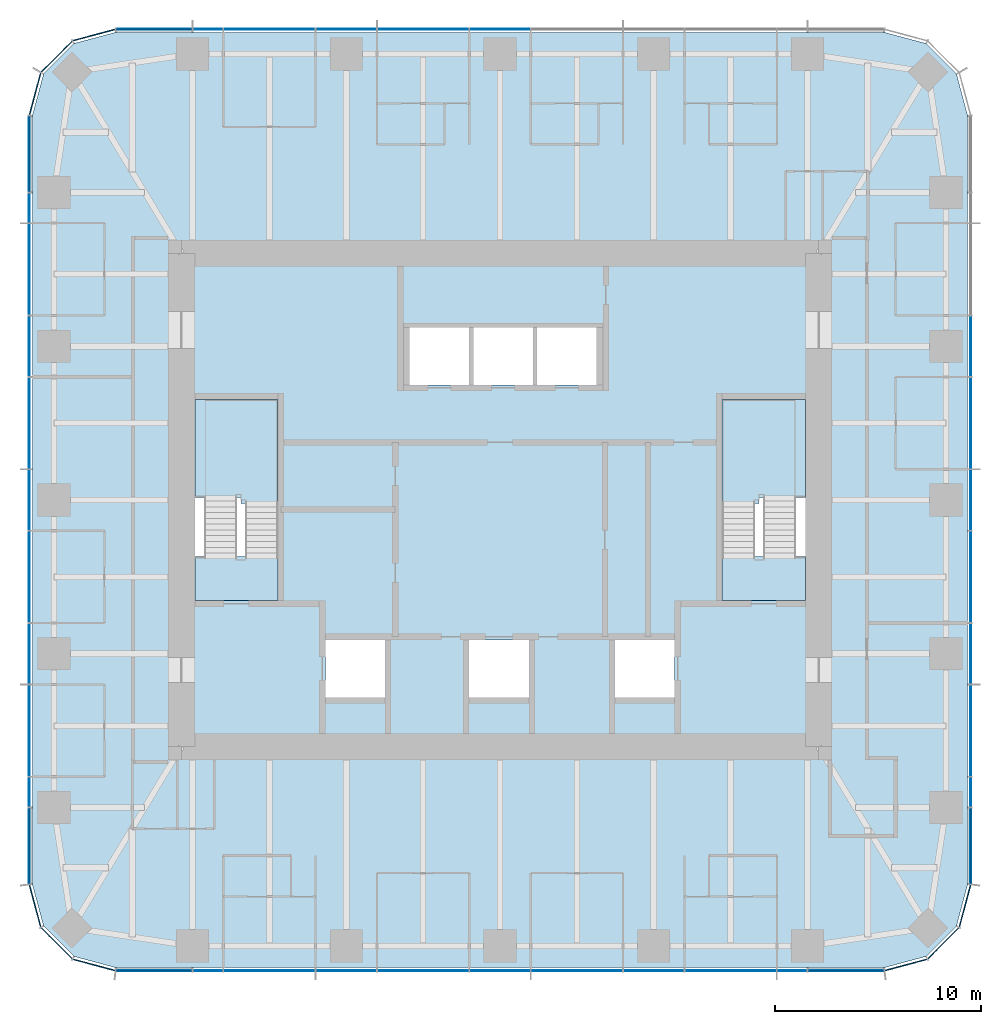
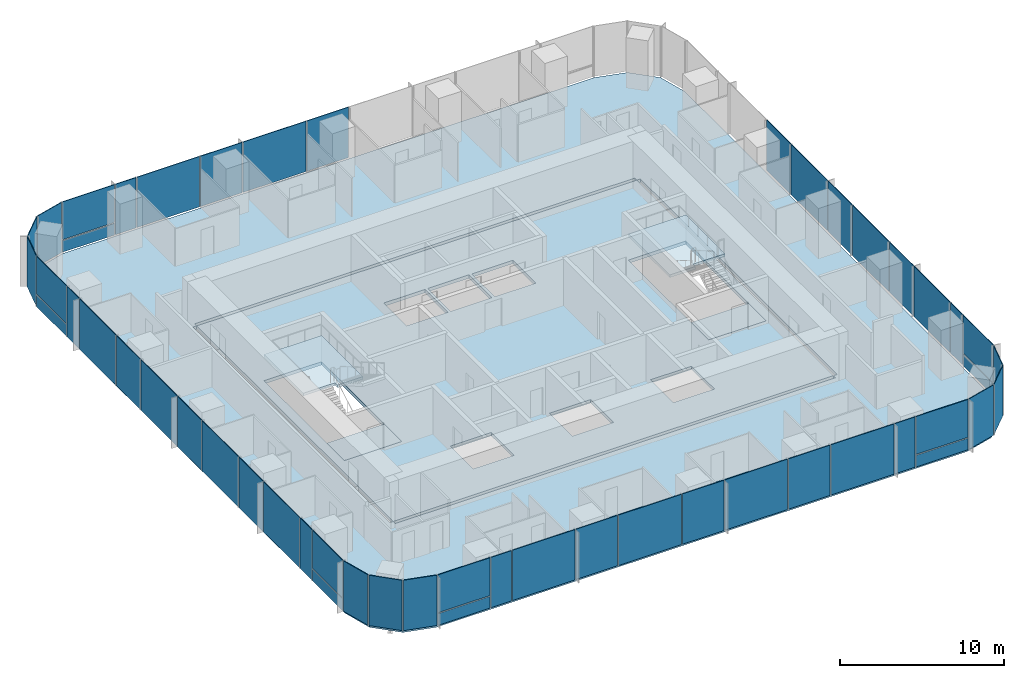
# One storey, part 7 of 12: 51 plates, 6 slabs, 9 elements without a shape of their own.
"""IFC4 building model written with IfcOpenShell, lengths in metres."""

from ifc_helpers import new_model, si_unit, direction, frame, origin, origin_2d, place, context, subcontext, project, spatial, polyline, rectangle, outline, extrude, material, layer, layer_set, type_object, element, aggregate, save


model = new_model("IFC4")

# Units and contexts
model_context = context("Model", 3, precision=1e-05, world=origin(), true_north=direction((0.0, 1.0)))
body_context = subcontext(model_context, "Body", "Model", "MODEL_VIEW")
ifc_project = project(units=[si_unit("LENGTHUNIT", "METRE"), si_unit("AREAUNIT", "SQUARE_METRE"), si_unit("VOLUMEUNIT", "CUBIC_METRE"), si_unit("PLANEANGLEUNIT", "RADIAN"), si_unit("MASSUNIT", "GRAM", prefix="KILO")], contexts=[model_context])

# Site, building, storey
site_placement = place(None, origin())
site = spatial("IfcSite", under=ifc_project, at=site_placement, CompositionType="ELEMENT")
building_placement = place(site_placement, origin())
building = spatial("IfcBuilding", under=site, at=building_placement, Name="Khuree Lantern Residences", CompositionType="ELEMENT")
storey_placement = place(building_placement, frame((0.0, 0.0, 345.75)))
storey = spatial("IfcBuildingStorey", under=building, at=storey_placement, Name="L87", CompositionType="ELEMENT", Elevation=345.75)

# Slab
ifc_material_1 = material(Name="Concrete C35/45", Category="concrete")
ifc_layer_1 = layer(ifc_material_1, 0.25)
ifc_layer_set_1 = layer_set([ifc_layer_1], Name="CFL250 CORE FLOOR SLAB 250")
slab_type_1 = type_object("IfcSlabType", Name="CFL250 CORE FLOOR SLAB 250", PredefinedType="FLOOR", material=ifc_layer_set_1)
slab_1_placement = place(storey_placement, frame((0.0, 0.0, -0.25)))
element("IfcSlab", 1, at=slab_1_placement, inside=storey, type_object=slab_type_1, Name="Core floor L87", PredefinedType="FLOOR", context=body_context, shape_type="SweptSolid", body=[
    extrude(outline(polyline([(-15.5, -12.0), (-15.5, 12.0), (15.5, 12.0), (15.5, -12.0), (-15.5, -12.0)]), holes=[polyline([(10.800048828125, 4.89990234375), (10.800048828125, -4.89990234375), (14.85009765625, -4.89990234375), (14.85009765625, 4.89990234375), (10.800048828125, 4.89990234375)]), polyline([(5.60009765625, -6.800048828125), (5.60009765625, -9.60009765625), (8.5, -9.60009765625), (8.5, -6.800048828125), (5.60009765625, -6.800048828125)]), polyline([(1.800048828125, 8.39990234375), (1.800048828125, 5.60009765625), (4.699951171875, 5.60009765625), (4.699951171875, 8.39990234375), (1.800048828125, 8.39990234375)]), polyline([(-1.300048828125, 8.39990234375), (-1.300048828125, 5.60009765625), (1.60009765625, 5.60009765625), (1.60009765625, 8.39990234375), (-1.300048828125, 8.39990234375)]), polyline([(-1.5, -6.800048828125), (-1.5, -9.60009765625), (1.39990234375, -9.60009765625), (1.39990234375, -6.800048828125), (-1.5, -6.800048828125)]), polyline([(-4.39990234375, 8.39990234375), (-4.39990234375, 5.60009765625), (-1.5, 5.60009765625), (-1.5, 8.39990234375), (-4.39990234375, 8.39990234375)]), polyline([(-8.5, -6.800048828125), (-8.5, -9.60009765625), (-5.60009765625, -9.60009765625), (-5.60009765625, -6.800048828125), (-8.5, -6.800048828125)]), polyline([(-14.85009765625, 4.89990234375), (-14.85009765625, -4.89990234375), (-10.800048828125, -4.89990234375), (-10.800048828125, 4.89990234375), (-14.85009765625, 4.89990234375)])]), origin(), (0.0, 0.0, 1.0), 0.25),
])

# Curtain wall, plates
ifc_material_2 = material(Name="Bronze anodised aluminium", Category="aluminium")
curtain_wall_type_1 = type_object("IfcCurtainWallType", Name="CW-T2 TOWER CORNER CURTAIN WALL", PredefinedType="USERDEFINED", material=ifc_material_2)
curtain_wall_1_placement = place(storey_placement, origin())
curtain_wall_1 = element("IfcCurtainWall", 2, at=curtain_wall_1_placement, inside=storey, type_object=curtain_wall_type_1, Name="L87 SOUTH-EAST CORNER CURTAIN WALL", ObjectType="Faceted corner curtain wall", PredefinedType="USERDEFINED")
ifc_material_3 = material(Name="Bronze tinted triple glazing", Category="glass")
ifc_layer_2 = layer(ifc_material_3, 0.048095703125)
ifc_layer_set_2 = layer_set([ifc_layer_2], Name="FACET PANEL P4")
plate_type_1 = type_object("IfcPlateType", Name="FACET PANEL P4", PredefinedType="CURTAIN_PANEL", material=ifc_layer_set_2)
plate_1_placement = place(storey_placement, frame((19.748046875, -22.619140625, 0.0), z_axis=(0.0, 0.0, 1.0), x_axis=(0.965925861257, 0.2588189146, 0.0)))
plate_1 = element("IfcPlate", 3, at=plate_1_placement, type_object=plate_type_1, Name="L87 SOUTH-EAST CORNER PANEL 1.1", PredefinedType="CURTAIN_PANEL", context=body_context, shape_type="SweptSolid", body=[
    extrude(rectangle(XDim=2.09814453125, YDim=0.048095703125, at=origin_2d()), origin(), (0.0, 0.0, 1.0), 3.75),
])
plate_2_placement = place(storey_placement, frame((21.568603515625, -21.568603515625, 0.0), z_axis=(0.0, 0.0, 1.0), x_axis=(0.707106781187, 0.707106781187, 0.0)))
plate_2 = element("IfcPlate", 4, at=plate_2_placement, type_object=plate_type_1, Name="L87 SOUTH-EAST CORNER PANEL 2.1", PredefinedType="CURTAIN_PANEL", context=body_context, shape_type="SweptSolid", body=[
    extrude(rectangle(XDim=2.093994140625, YDim=0.048095703125, at=origin_2d()), origin(), (0.0, 0.0, 1.0), 3.75),
])
plate_3_placement = place(storey_placement, frame((22.619140625, -19.748046875, 0.0), z_axis=(0.0, 0.0, 1.0), x_axis=(0.2588189146, 0.965925861257, 0.0)))
plate_3 = element("IfcPlate", 5, at=plate_3_placement, type_object=plate_type_1, Name="L87 SOUTH-EAST CORNER PANEL 3.1", PredefinedType="CURTAIN_PANEL", context=body_context, shape_type="SweptSolid", body=[
    extrude(rectangle(XDim=2.09814453125, YDim=0.048095703125, at=origin_2d()), origin(), (0.0, 0.0, 1.0), 3.75),
])
aggregate(curtain_wall_1, [plate_1, plate_2, plate_3])

curtain_wall_2_placement = place(storey_placement, origin())
curtain_wall_2 = element("IfcCurtainWall", 6, at=curtain_wall_2_placement, inside=storey, type_object=curtain_wall_type_1, Name="L87 NORTH-WEST CORNER CURTAIN WALL", ObjectType="Faceted corner curtain wall", PredefinedType="USERDEFINED")
plate_4_placement = place(storey_placement, frame((-19.748046875, 22.619140625, 0.0), z_axis=(0.0, 0.0, 1.0), x_axis=(-0.965925861257, -0.2588189146, 0.0)))
plate_4 = element("IfcPlate", 7, at=plate_4_placement, type_object=plate_type_1, Name="L87 NORTH-WEST CORNER PANEL 29.1", PredefinedType="CURTAIN_PANEL", context=body_context, shape_type="SweptSolid", body=[
    extrude(rectangle(XDim=2.09814453125, YDim=0.048095703125, at=origin_2d()), origin(), (0.0, 0.0, 1.0), 3.75),
])
plate_5_placement = place(storey_placement, frame((-21.568603515625, 21.568603515625, 0.0), z_axis=(0.0, 0.0, 1.0), x_axis=(-0.707106781187, -0.707106781187, 0.0)))
plate_5 = element("IfcPlate", 8, at=plate_5_placement, type_object=plate_type_1, Name="L87 NORTH-WEST CORNER PANEL 30.1", PredefinedType="CURTAIN_PANEL", context=body_context, shape_type="SweptSolid", body=[
    extrude(rectangle(XDim=2.093994140625, YDim=0.048095703125, at=origin_2d()), origin(), (0.0, 0.0, 1.0), 3.75),
])
plate_6_placement = place(storey_placement, frame((-22.619140625, 19.748046875, 0.0), z_axis=(0.0, 0.0, 1.0), x_axis=(-0.2588189146, -0.965925861257, 0.0)))
plate_6 = element("IfcPlate", 9, at=plate_6_placement, type_object=plate_type_1, Name="L87 NORTH-WEST CORNER PANEL 31.1", PredefinedType="CURTAIN_PANEL", context=body_context, shape_type="SweptSolid", body=[
    extrude(rectangle(XDim=2.09814453125, YDim=0.048095703125, at=origin_2d()), origin(), (0.0, 0.0, 1.0), 3.75),
])
aggregate(curtain_wall_2, [plate_4, plate_5, plate_6])

curtain_wall_3_placement = place(storey_placement, origin())
curtain_wall_3 = element("IfcCurtainWall", 10, at=curtain_wall_3_placement, inside=storey, type_object=curtain_wall_type_1, Name="L87 SOUTH-WEST CORNER CURTAIN WALL", ObjectType="Faceted corner curtain wall", PredefinedType="USERDEFINED")
plate_7_placement = place(storey_placement, frame((-22.619140625, -19.748046875, 0.0), z_axis=(0.0, 0.0, 1.0), x_axis=(0.2588189146, -0.965925861257, 0.0)))
plate_7 = element("IfcPlate", 11, at=plate_7_placement, type_object=plate_type_1, Name="L87 SOUTH-WEST CORNER PANEL 43.1", PredefinedType="CURTAIN_PANEL", context=body_context, shape_type="SweptSolid", body=[
    extrude(rectangle(XDim=2.09814453125, YDim=0.048095703125, at=origin_2d()), origin(), (0.0, 0.0, 1.0), 3.75),
])
plate_8_placement = place(storey_placement, frame((-21.568603515625, -21.568603515625, 0.0), z_axis=(0.0, 0.0, 1.0), x_axis=(0.707106781187, -0.707106781187, 0.0)))
plate_8 = element("IfcPlate", 12, at=plate_8_placement, type_object=plate_type_1, Name="L87 SOUTH-WEST CORNER PANEL 44.1", PredefinedType="CURTAIN_PANEL", context=body_context, shape_type="SweptSolid", body=[
    extrude(rectangle(XDim=2.093994140625, YDim=0.048095703125, at=origin_2d()), origin(), (0.0, 0.0, 1.0), 3.75),
])
plate_9_placement = place(storey_placement, frame((-19.748046875, -22.619140625, 0.0), z_axis=(0.0, 0.0, 1.0), x_axis=(0.965925861257, -0.2588189146, 0.0)))
plate_9 = element("IfcPlate", 13, at=plate_9_placement, type_object=plate_type_1, Name="L87 SOUTH-WEST CORNER PANEL 45.1", PredefinedType="CURTAIN_PANEL", context=body_context, shape_type="SweptSolid", body=[
    extrude(rectangle(XDim=2.09814453125, YDim=0.048095703125, at=origin_2d()), origin(), (0.0, 0.0, 1.0), 3.75),
])
aggregate(curtain_wall_3, [plate_7, plate_8, plate_9])

curtain_wall_type_2 = type_object("IfcCurtainWallType", Name="CW-T1 TOWER FACE CURTAIN WALL", PredefinedType="USERDEFINED", material=ifc_material_2)
curtain_wall_4_placement = place(storey_placement, origin())
curtain_wall_4 = element("IfcCurtainWall", 14, at=curtain_wall_4_placement, inside=storey, type_object=curtain_wall_type_2, Name="L87 EAST FACE CURTAIN WALL", ObjectType="Stick-built curtain wall", PredefinedType="USERDEFINED")
ifc_material_4 = material(Name="Bronze tinted triple glazing with a ceramic-fritted spandrel band", Category="glass")
ifc_layer_3 = layer(ifc_material_4, 0.048095703125)
ifc_layer_set_3 = layer_set([ifc_layer_3], Name="FIXED LIGHT PANEL P11")
plate_type_2 = type_object("IfcPlateType", Name="FIXED LIGHT PANEL P11", PredefinedType="CURTAIN_PANEL", material=ifc_layer_set_3)
plate_10_placement = place(storey_placement, frame((22.89990234375, -11.219970703125, 0.0), z_axis=(0.0, 0.0, 1.0), x_axis=(0.0, 1.0, 0.0)))
plate_10 = element("IfcPlate", 15, at=plate_10_placement, type_object=plate_type_2, Name="L87 EAST FACE PANEL 6.1", PredefinedType="CURTAIN_PANEL", context=body_context, shape_type="SweptSolid", body=[
    extrude(rectangle(XDim=4.423095703125, YDim=0.048095703125, at=origin_2d()), origin(), (0.0, 0.0, 1.0), 3.75),
])
plate_11_placement = place(storey_placement, frame((22.89990234375, -3.739990234375, 0.0), z_axis=(0.0, 0.0, 1.0), x_axis=(0.0, 1.0, 0.0)))
plate_11 = element("IfcPlate", 16, at=plate_11_placement, type_object=plate_type_2, Name="L87 EAST FACE PANEL 8.1", PredefinedType="CURTAIN_PANEL", context=body_context, shape_type="SweptSolid", body=[
    extrude(rectangle(XDim=4.423095703125, YDim=0.048095703125, at=origin_2d()), origin(), (0.0, 0.0, 1.0), 3.75),
])
plate_12_placement = place(storey_placement, frame((22.89990234375, 3.739990234375, 0.0), z_axis=(0.0, 0.0, 1.0), x_axis=(0.0, 1.0, 0.0)))
plate_12 = element("IfcPlate", 17, at=plate_12_placement, type_object=plate_type_2, Name="L87 EAST FACE PANEL 10.1", PredefinedType="CURTAIN_PANEL", context=body_context, shape_type="SweptSolid", body=[
    extrude(rectangle(XDim=4.423095703125, YDim=0.048095703125, at=origin_2d()), origin(), (0.0, 0.0, 1.0), 3.75),
])

curtain_wall_5_placement = place(storey_placement, origin())
curtain_wall_5 = element("IfcCurtainWall", 18, at=curtain_wall_5_placement, inside=storey, type_object=curtain_wall_type_2, Name="L87 NORTH FACE CURTAIN WALL", ObjectType="Stick-built curtain wall", PredefinedType="USERDEFINED")
plate_13_placement = place(storey_placement, frame((-3.739990234375, 22.89990234375, 0.0), z_axis=(0.0, 0.0, 1.0), x_axis=(-1.0, 0.0, 0.0)))
plate_13 = element("IfcPlate", 19, at=plate_13_placement, type_object=plate_type_2, Name="L87 NORTH FACE PANEL 24.1", PredefinedType="CURTAIN_PANEL", context=body_context, shape_type="SweptSolid", body=[
    extrude(rectangle(XDim=4.423095703125, YDim=0.048095703125, at=origin_2d()), origin(), (0.0, 0.0, 1.0), 3.75),
])
plate_14_placement = place(storey_placement, frame((-11.219970703125, 22.89990234375, 0.0), z_axis=(0.0, 0.0, 1.0), x_axis=(-1.0, 0.0, 0.0)))
plate_14 = element("IfcPlate", 20, at=plate_14_placement, type_object=plate_type_2, Name="L87 NORTH FACE PANEL 26.1", PredefinedType="CURTAIN_PANEL", context=body_context, shape_type="SweptSolid", body=[
    extrude(rectangle(XDim=4.423095703125, YDim=0.048095703125, at=origin_2d()), origin(), (0.0, 0.0, 1.0), 3.75),
])

curtain_wall_6_placement = place(storey_placement, origin())
curtain_wall_6 = element("IfcCurtainWall", 21, at=curtain_wall_6_placement, inside=storey, type_object=curtain_wall_type_2, Name="L87 WEST FACE CURTAIN WALL", ObjectType="Stick-built curtain wall", PredefinedType="USERDEFINED")
plate_15_placement = place(storey_placement, frame((-22.89990234375, 11.219970703125, 0.0), z_axis=(0.0, 0.0, 1.0), x_axis=(0.0, -1.0, 0.0)))
plate_15 = element("IfcPlate", 22, at=plate_15_placement, type_object=plate_type_2, Name="L87 WEST FACE PANEL 34.1", PredefinedType="CURTAIN_PANEL", context=body_context, shape_type="SweptSolid", body=[
    extrude(rectangle(XDim=4.423095703125, YDim=0.048095703125, at=origin_2d()), origin(), (0.0, 0.0, 1.0), 3.75),
])
plate_16_placement = place(storey_placement, frame((-22.89990234375, 3.739990234375, 0.0), z_axis=(0.0, 0.0, 1.0), x_axis=(0.0, -1.0, 0.0)))
plate_16 = element("IfcPlate", 23, at=plate_16_placement, type_object=plate_type_2, Name="L87 WEST FACE PANEL 36.1", PredefinedType="CURTAIN_PANEL", context=body_context, shape_type="SweptSolid", body=[
    extrude(rectangle(XDim=4.423095703125, YDim=0.048095703125, at=origin_2d()), origin(), (0.0, 0.0, 1.0), 3.75),
])
plate_17_placement = place(storey_placement, frame((-22.89990234375, -3.739990234375, 0.0), z_axis=(0.0, 0.0, 1.0), x_axis=(0.0, -1.0, 0.0)))
plate_17 = element("IfcPlate", 24, at=plate_17_placement, type_object=plate_type_2, Name="L87 WEST FACE PANEL 38.1", PredefinedType="CURTAIN_PANEL", context=body_context, shape_type="SweptSolid", body=[
    extrude(rectangle(XDim=4.423095703125, YDim=0.048095703125, at=origin_2d()), origin(), (0.0, 0.0, 1.0), 3.75),
])
plate_18_placement = place(storey_placement, frame((-22.89990234375, -11.219970703125, 0.0), z_axis=(0.0, 0.0, 1.0), x_axis=(0.0, -1.0, 0.0)))
plate_18 = element("IfcPlate", 25, at=plate_18_placement, type_object=plate_type_2, Name="L87 WEST FACE PANEL 40.1", PredefinedType="CURTAIN_PANEL", context=body_context, shape_type="SweptSolid", body=[
    extrude(rectangle(XDim=4.423095703125, YDim=0.048095703125, at=origin_2d()), origin(), (0.0, 0.0, 1.0), 3.75),
])

curtain_wall_7_placement = place(storey_placement, origin())
curtain_wall_7 = element("IfcCurtainWall", 26, at=curtain_wall_7_placement, inside=storey, type_object=curtain_wall_type_2, Name="L87 SOUTH FACE CURTAIN WALL", ObjectType="Stick-built curtain wall", PredefinedType="USERDEFINED")
plate_19_placement = place(storey_placement, frame((-11.219970703125, -22.89990234375, 0.0), z_axis=(0.0, 0.0, 1.0), x_axis=(1.0, 0.0, 0.0)))
plate_19 = element("IfcPlate", 27, at=plate_19_placement, type_object=plate_type_2, Name="L87 SOUTH FACE PANEL 48.1", PredefinedType="CURTAIN_PANEL", context=body_context, shape_type="SweptSolid", body=[
    extrude(rectangle(XDim=4.423095703125, YDim=0.048095703125, at=origin_2d()), origin(), (0.0, 0.0, 1.0), 3.75),
])
plate_20_placement = place(storey_placement, frame((-3.739990234375, -22.89990234375, 0.0), z_axis=(0.0, 0.0, 1.0), x_axis=(1.0, 0.0, 0.0)))
plate_20 = element("IfcPlate", 28, at=plate_20_placement, type_object=plate_type_2, Name="L87 SOUTH FACE PANEL 50.1", PredefinedType="CURTAIN_PANEL", context=body_context, shape_type="SweptSolid", body=[
    extrude(rectangle(XDim=4.423095703125, YDim=0.048095703125, at=origin_2d()), origin(), (0.0, 0.0, 1.0), 3.75),
])
plate_21_placement = place(storey_placement, frame((3.739990234375, -22.89990234375, 0.0), z_axis=(0.0, 0.0, 1.0), x_axis=(1.0, 0.0, 0.0)))
plate_21 = element("IfcPlate", 29, at=plate_21_placement, type_object=plate_type_2, Name="L87 SOUTH FACE PANEL 52.1", PredefinedType="CURTAIN_PANEL", context=body_context, shape_type="SweptSolid", body=[
    extrude(rectangle(XDim=4.423095703125, YDim=0.048095703125, at=origin_2d()), origin(), (0.0, 0.0, 1.0), 3.75),
])
plate_22_placement = place(storey_placement, frame((11.219970703125, -22.89990234375, 0.0), z_axis=(0.0, 0.0, 1.0), x_axis=(1.0, 0.0, 0.0)))
plate_22 = element("IfcPlate", 30, at=plate_22_placement, type_object=plate_type_2, Name="L87 SOUTH FACE PANEL 54.1", PredefinedType="CURTAIN_PANEL", context=body_context, shape_type="SweptSolid", body=[
    extrude(rectangle(XDim=4.423095703125, YDim=0.048095703125, at=origin_2d()), origin(), (0.0, 0.0, 1.0), 3.75),
])

# Slab
ifc_layer_4 = layer(ifc_material_1, 0.25)
ifc_layer_set_4 = layer_set([ifc_layer_4], Name="FS250 FLOOR SLAB 250")
slab_type_2 = type_object("IfcSlabType", Name="FS250 FLOOR SLAB 250", PredefinedType="FLOOR", material=ifc_layer_set_4)
slab_2_placement = place(storey_placement, frame((0.0, 0.0, -0.25)))
element("IfcSlab", 31, at=slab_2_placement, inside=storey, type_object=slab_type_2, Name="Floor slab L87", PredefinedType="FLOOR", context=body_context, shape_type="SweptSolid", body=[
    extrude(outline(polyline([(-20.72509765625, -22.20751953125), (-22.20751953125, -20.72509765625), (-22.75, -18.699951171875), (-22.75, 18.699951171875), (-22.20751953125, 20.72509765625), (-20.72509765625, 22.20751953125), (-18.699951171875, 22.75), (18.699951171875, 22.75), (20.72509765625, 22.20751953125), (22.20751953125, 20.72509765625), (22.75, 18.699951171875), (22.75, -18.699951171875), (22.20751953125, -20.72509765625), (20.72509765625, -22.20751953125), (18.699951171875, -22.75), (-18.699951171875, -22.75), (-20.72509765625, -22.20751953125)]), holes=[polyline([(15.75, 12.0), (15.5, 12.0), (15.5, 12.25), (-15.5, 12.25), (-15.5, 12.0), (-15.75, 12.0), (-15.75, -12.0), (-15.5, -12.0), (-15.5, -12.25), (15.5, -12.25), (15.5, -12.0), (15.75, -12.0), (15.75, 12.0)])]), origin(), (0.0, 0.0, 1.0), 0.25),
])

# Plate
ifc_material_5 = material(Name="Bronze tinted triple glazing, two aluminium-framed sashes in one frame", Category="aluminium")
ifc_layer_5 = layer(ifc_material_5, 0.048095703125)
ifc_layer_set_5 = layer_set([ifc_layer_5], Name="SASH PAIR PANEL P12")
plate_type_3 = type_object("IfcPlateType", Name="SASH PAIR PANEL P12", PredefinedType="CURTAIN_PANEL", material=ifc_layer_set_5)
plate_23_placement = place(storey_placement, frame((22.89990234375, -7.47998046875, 0.0), z_axis=(0.0, 0.0, 1.0), x_axis=(0.0, 1.0, 0.0)))
plate_23 = element("IfcPlate", 32, at=plate_23_placement, type_object=plate_type_3, Name="L87 EAST FACE PANEL 7.1", PredefinedType="CURTAIN_PANEL", context=body_context, shape_type="SweptSolid", body=[
    extrude(rectangle(XDim=2.927001953125, YDim=0.048095703125, at=origin_2d()), origin(), (0.0, 0.0, 1.0), 3.75),
])

plate_24_placement = place(storey_placement, frame((22.89990234375, 0.0, 0.0), z_axis=(0.0, 0.0, 1.0), x_axis=(0.0, 1.0, 0.0)))
plate_24 = element("IfcPlate", 33, at=plate_24_placement, type_object=plate_type_3, Name="L87 EAST FACE PANEL 9.1", PredefinedType="CURTAIN_PANEL", context=body_context, shape_type="SweptSolid", body=[
    extrude(rectangle(XDim=2.927001953125, YDim=0.048095703125, at=origin_2d()), origin(), (0.0, 0.0, 1.0), 3.75),
])

plate_25_placement = place(storey_placement, frame((22.89990234375, 7.47998046875, 0.0), z_axis=(0.0, 0.0, 1.0), x_axis=(0.0, 1.0, 0.0)))
plate_25 = element("IfcPlate", 34, at=plate_25_placement, type_object=plate_type_3, Name="L87 EAST FACE PANEL 11.1", PredefinedType="CURTAIN_PANEL", context=body_context, shape_type="SweptSolid", body=[
    extrude(rectangle(XDim=2.927001953125, YDim=0.048095703125, at=origin_2d()), origin(), (0.0, 0.0, 1.0), 3.75),
])

plate_26_placement = place(storey_placement, frame((0.0, 22.89990234375, 0.0), z_axis=(0.0, 0.0, 1.0), x_axis=(-1.0, 0.0, 0.0)))
plate_26 = element("IfcPlate", 35, at=plate_26_placement, type_object=plate_type_3, Name="L87 NORTH FACE PANEL 23.1", PredefinedType="CURTAIN_PANEL", context=body_context, shape_type="SweptSolid", body=[
    extrude(rectangle(XDim=2.927001953125, YDim=0.048095703125, at=origin_2d()), origin(), (0.0, 0.0, 1.0), 3.75),
])

plate_27_placement = place(storey_placement, frame((-7.47998046875, 22.89990234375, 0.0), z_axis=(0.0, 0.0, 1.0), x_axis=(-1.0, 0.0, 0.0)))
plate_27 = element("IfcPlate", 36, at=plate_27_placement, type_object=plate_type_3, Name="L87 NORTH FACE PANEL 25.1", PredefinedType="CURTAIN_PANEL", context=body_context, shape_type="SweptSolid", body=[
    extrude(rectangle(XDim=2.927001953125, YDim=0.048095703125, at=origin_2d()), origin(), (0.0, 0.0, 1.0), 3.75),
])

plate_28_placement = place(storey_placement, frame((-22.89990234375, 7.47998046875, 0.0), z_axis=(0.0, 0.0, 1.0), x_axis=(0.0, -1.0, 0.0)))
plate_28 = element("IfcPlate", 37, at=plate_28_placement, type_object=plate_type_3, Name="L87 WEST FACE PANEL 35.1", PredefinedType="CURTAIN_PANEL", context=body_context, shape_type="SweptSolid", body=[
    extrude(rectangle(XDim=2.927001953125, YDim=0.048095703125, at=origin_2d()), origin(), (0.0, 0.0, 1.0), 3.75),
])

plate_29_placement = place(storey_placement, frame((-22.89990234375, 0.0, 0.0), z_axis=(0.0, 0.0, 1.0), x_axis=(0.0, -1.0, 0.0)))
plate_29 = element("IfcPlate", 38, at=plate_29_placement, type_object=plate_type_3, Name="L87 WEST FACE PANEL 37.1", PredefinedType="CURTAIN_PANEL", context=body_context, shape_type="SweptSolid", body=[
    extrude(rectangle(XDim=2.927001953125, YDim=0.048095703125, at=origin_2d()), origin(), (0.0, 0.0, 1.0), 3.75),
])

plate_30_placement = place(storey_placement, frame((-22.89990234375, -7.47998046875, 0.0), z_axis=(0.0, 0.0, 1.0), x_axis=(0.0, -1.0, 0.0)))
plate_30 = element("IfcPlate", 39, at=plate_30_placement, type_object=plate_type_3, Name="L87 WEST FACE PANEL 39.1", PredefinedType="CURTAIN_PANEL", context=body_context, shape_type="SweptSolid", body=[
    extrude(rectangle(XDim=2.927001953125, YDim=0.048095703125, at=origin_2d()), origin(), (0.0, 0.0, 1.0), 3.75),
])

plate_31_placement = place(storey_placement, frame((-7.47998046875, -22.89990234375, 0.0), z_axis=(0.0, 0.0, 1.0), x_axis=(1.0, 0.0, 0.0)))
plate_31 = element("IfcPlate", 40, at=plate_31_placement, type_object=plate_type_3, Name="L87 SOUTH FACE PANEL 49.1", PredefinedType="CURTAIN_PANEL", context=body_context, shape_type="SweptSolid", body=[
    extrude(rectangle(XDim=2.927001953125, YDim=0.048095703125, at=origin_2d()), origin(), (0.0, 0.0, 1.0), 3.75),
])

plate_32_placement = place(storey_placement, frame((0.0, -22.89990234375, 0.0), z_axis=(0.0, 0.0, 1.0), x_axis=(1.0, 0.0, 0.0)))
plate_32 = element("IfcPlate", 41, at=plate_32_placement, type_object=plate_type_3, Name="L87 SOUTH FACE PANEL 51.1", PredefinedType="CURTAIN_PANEL", context=body_context, shape_type="SweptSolid", body=[
    extrude(rectangle(XDim=2.927001953125, YDim=0.048095703125, at=origin_2d()), origin(), (0.0, 0.0, 1.0), 3.75),
])

plate_33_placement = place(storey_placement, frame((7.47998046875, -22.89990234375, 0.0), z_axis=(0.0, 0.0, 1.0), x_axis=(1.0, 0.0, 0.0)))
plate_33 = element("IfcPlate", 42, at=plate_33_placement, type_object=plate_type_3, Name="L87 SOUTH FACE PANEL 53.1", PredefinedType="CURTAIN_PANEL", context=body_context, shape_type="SweptSolid", body=[
    extrude(rectangle(XDim=2.927001953125, YDim=0.048095703125, at=origin_2d()), origin(), (0.0, 0.0, 1.0), 3.75),
])

ifc_material_6 = material(Name="Bronze tinted triple glazing, aluminium-framed sash", Category="aluminium")
ifc_layer_6 = layer(ifc_material_6, 0.048095703125)
ifc_layer_set_6 = layer_set([ifc_layer_6], Name="SASH PANEL P3")
plate_type_4 = type_object("IfcPlateType", Name="SASH PANEL P3", PredefinedType="CURTAIN_PANEL", material=ifc_layer_set_6)
plate_34_placement = place(storey_placement, frame((22.89990234375, -14.2119140625, 0.0), z_axis=(0.0, 0.0, 1.0), x_axis=(0.0, 1.0, 0.0)))
plate_34 = element("IfcPlate", 43, at=plate_34_placement, type_object=plate_type_4, Name="L87 EAST FACE PANEL 5.1", PredefinedType="CURTAIN_PANEL", context=body_context, shape_type="SweptSolid", body=[
    extrude(rectangle(XDim=1.430908203125, YDim=0.048095703125, at=origin_2d()), origin(), (0.0, 0.0, 1.0), 3.75),
])

plate_35_placement = place(storey_placement, frame((-14.2119140625, 22.89990234375, 0.0), z_axis=(0.0, 0.0, 1.0), x_axis=(-1.0, 0.0, 0.0)))
plate_35 = element("IfcPlate", 44, at=plate_35_placement, type_object=plate_type_4, Name="L87 NORTH FACE PANEL 27.1", PredefinedType="CURTAIN_PANEL", context=body_context, shape_type="SweptSolid", body=[
    extrude(rectangle(XDim=1.430908203125, YDim=0.048095703125, at=origin_2d()), origin(), (0.0, 0.0, 1.0), 3.75),
])

plate_36_placement = place(storey_placement, frame((-22.89990234375, 14.2119140625, 0.0), z_axis=(0.0, 0.0, 1.0), x_axis=(0.0, -1.0, 0.0)))
plate_36 = element("IfcPlate", 45, at=plate_36_placement, type_object=plate_type_4, Name="L87 WEST FACE PANEL 33.1", PredefinedType="CURTAIN_PANEL", context=body_context, shape_type="SweptSolid", body=[
    extrude(rectangle(XDim=1.430908203125, YDim=0.048095703125, at=origin_2d()), origin(), (0.0, 0.0, 1.0), 3.75),
])

plate_37_placement = place(storey_placement, frame((-22.89990234375, -14.2119140625, 0.0), z_axis=(0.0, 0.0, 1.0), x_axis=(0.0, -1.0, 0.0)))
plate_37 = element("IfcPlate", 46, at=plate_37_placement, type_object=plate_type_4, Name="L87 WEST FACE PANEL 41.1", PredefinedType="CURTAIN_PANEL", context=body_context, shape_type="SweptSolid", body=[
    extrude(rectangle(XDim=1.430908203125, YDim=0.048095703125, at=origin_2d()), origin(), (0.0, 0.0, 1.0), 3.75),
])

plate_38_placement = place(storey_placement, frame((-14.2119140625, -22.89990234375, 0.0), z_axis=(0.0, 0.0, 1.0), x_axis=(1.0, 0.0, 0.0)))
plate_38 = element("IfcPlate", 47, at=plate_38_placement, type_object=plate_type_4, Name="L87 SOUTH FACE PANEL 47.1", PredefinedType="CURTAIN_PANEL", context=body_context, shape_type="SweptSolid", body=[
    extrude(rectangle(XDim=1.430908203125, YDim=0.048095703125, at=origin_2d()), origin(), (0.0, 0.0, 1.0), 3.75),
])

plate_39_placement = place(storey_placement, frame((14.2119140625, -22.89990234375, 0.0), z_axis=(0.0, 0.0, 1.0), x_axis=(1.0, 0.0, 0.0)))
plate_39 = element("IfcPlate", 48, at=plate_39_placement, type_object=plate_type_4, Name="L87 SOUTH FACE PANEL 55.1", PredefinedType="CURTAIN_PANEL", context=body_context, shape_type="SweptSolid", body=[
    extrude(rectangle(XDim=1.430908203125, YDim=0.048095703125, at=origin_2d()), origin(), (0.0, 0.0, 1.0), 3.75),
])

ifc_material_7 = material(Name="Bronze anodised aluminium insulated spandrel", Category="aluminium")
ifc_layer_7 = layer(ifc_material_7, 0.06005859375)
ifc_layer_set_7 = layer_set([ifc_layer_7], Name="SPANDREL PANEL P2")
plate_type_5 = type_object("IfcPlateType", Name="SPANDREL PANEL P2", PredefinedType="CURTAIN_PANEL", material=ifc_layer_set_7)
plate_40_placement = place(storey_placement, frame((22.89990234375, -16.827880859375, 0.0), z_axis=(0.0, 0.0, 1.0), x_axis=(0.0, 1.0, 0.0)))
plate_40 = element("IfcPlate", 49, at=plate_40_placement, type_object=plate_type_5, Name="L87 EAST FACE PANEL 4.1", PredefinedType="CURTAIN_PANEL", context=body_context, shape_type="SweptSolid", body=[
    extrude(rectangle(XDim=3.670654296875, YDim=0.06005859375, at=origin_2d()), origin(), (0.0, 0.0, 1.0), 0.867431640625),
])

plate_41_placement = place(storey_placement, frame((-16.827880859375, 22.89990234375, 0.0), z_axis=(0.0, 0.0, 1.0), x_axis=(-1.0, 0.0, 0.0)))
plate_41 = element("IfcPlate", 50, at=plate_41_placement, type_object=plate_type_5, Name="L87 NORTH FACE PANEL 28.1", PredefinedType="CURTAIN_PANEL", context=body_context, shape_type="SweptSolid", body=[
    extrude(rectangle(XDim=3.670654296875, YDim=0.06005859375, at=origin_2d()), origin(), (0.0, 0.0, 1.0), 0.867431640625),
])

plate_42_placement = place(storey_placement, frame((-22.89990234375, 16.827880859375, 0.0), z_axis=(0.0, 0.0, 1.0), x_axis=(0.0, -1.0, 0.0)))
plate_42 = element("IfcPlate", 51, at=plate_42_placement, type_object=plate_type_5, Name="L87 WEST FACE PANEL 32.1", PredefinedType="CURTAIN_PANEL", context=body_context, shape_type="SweptSolid", body=[
    extrude(rectangle(XDim=3.670654296875, YDim=0.06005859375, at=origin_2d()), origin(), (0.0, 0.0, 1.0), 0.867431640625),
])

plate_43_placement = place(storey_placement, frame((-22.89990234375, -16.827880859375, 0.0), z_axis=(0.0, 0.0, 1.0), x_axis=(0.0, -1.0, 0.0)))
plate_43 = element("IfcPlate", 52, at=plate_43_placement, type_object=plate_type_5, Name="L87 WEST FACE PANEL 42.1", PredefinedType="CURTAIN_PANEL", context=body_context, shape_type="SweptSolid", body=[
    extrude(rectangle(XDim=3.670654296875, YDim=0.06005859375, at=origin_2d()), origin(), (0.0, 0.0, 1.0), 0.867431640625),
])

plate_44_placement = place(storey_placement, frame((-16.827880859375, -22.89990234375, 0.0), z_axis=(0.0, 0.0, 1.0), x_axis=(1.0, 0.0, 0.0)))
plate_44 = element("IfcPlate", 53, at=plate_44_placement, type_object=plate_type_5, Name="L87 SOUTH FACE PANEL 46.1", PredefinedType="CURTAIN_PANEL", context=body_context, shape_type="SweptSolid", body=[
    extrude(rectangle(XDim=3.670654296875, YDim=0.06005859375, at=origin_2d()), origin(), (0.0, 0.0, 1.0), 0.867431640625),
])

plate_45_placement = place(storey_placement, frame((16.827880859375, -22.89990234375, 0.0), z_axis=(0.0, 0.0, 1.0), x_axis=(1.0, 0.0, 0.0)))
plate_45 = element("IfcPlate", 54, at=plate_45_placement, type_object=plate_type_5, Name="L87 SOUTH FACE PANEL 56.1", PredefinedType="CURTAIN_PANEL", context=body_context, shape_type="SweptSolid", body=[
    extrude(rectangle(XDim=3.670654296875, YDim=0.06005859375, at=origin_2d()), origin(), (0.0, 0.0, 1.0), 0.867431640625),
])

# Stair, slabs
ifc_material_8 = material(Name="Concrete C40/50", Category="concrete")
stair_type = type_object("IfcStairType", Name="STAIR ST1 HALF TURN 3600", PredefinedType="HALF_TURN_STAIR", material=ifc_material_8)
stair_1_placement = place(storey_placement, origin())
stair_1 = element("IfcStair", 55, at=stair_1_placement, inside=storey, type_object=stair_type, Name="Stair ST1", PredefinedType="HALF_TURN_STAIR")
ifc_layer_8 = layer(ifc_material_8, 0.199951171875)
ifc_layer_set_8 = layer_set([ifc_layer_8], Name="STAIR LANDING SL1 200")
slab_type_3 = type_object("IfcSlabType", Name="STAIR LANDING SL1 200", PredefinedType="LANDING", material=ifc_layer_set_8)
slab_3_placement = place(storey_placement, frame((0.0, 0.0, -0.199951171875)))
slab_3 = element("IfcSlab", 56, at=slab_3_placement, type_object=slab_type_3, Name="ST1 landing 1", PredefinedType="LANDING", context=body_context, shape_type="SweptSolid", body=[
    extrude(outline(polyline([(-14.85009765625, -4.89990234375), (-10.800048828125, -4.89990234375), (-10.800048828125, -2.760009765625), (-14.85009765625, -2.760009765625), (-14.85009765625, -4.89990234375)])), origin(), (0.0, 0.0, 1.0), 0.199951171875),
])
slab_4_placement = place(storey_placement, frame((0.0, 0.0, 1.756591796875)))
slab_4 = element("IfcSlab", 57, at=slab_4_placement, type_object=slab_type_3, Name="ST1 landing 2", PredefinedType="LANDING", context=body_context, shape_type="SweptSolid", body=[
    extrude(outline(polyline([(-14.85009765625, 0.1201171875), (-14.85009765625, 4.89990234375), (-10.800048828125, 4.89990234375), (-10.800048828125, -0.159912109375), (-12.60009765625, -0.159912109375), (-12.60009765625, 0.1201171875), (-14.85009765625, 0.1201171875)])), origin(), (0.0, 0.0, 1.0), 0.199951171875),
])
aggregate(stair_1, [slab_3, slab_4])

stair_2_placement = place(storey_placement, origin())
stair_2 = element("IfcStair", 58, at=stair_2_placement, inside=storey, type_object=stair_type, Name="Stair ST2", PredefinedType="HALF_TURN_STAIR")
slab_5_placement = place(storey_placement, frame((0.0, 0.0, -0.199951171875)))
slab_5 = element("IfcSlab", 59, at=slab_5_placement, type_object=slab_type_3, Name="ST2 landing 1", PredefinedType="LANDING", context=body_context, shape_type="SweptSolid", body=[
    extrude(outline(polyline([(10.800048828125, -4.89990234375), (14.85009765625, -4.89990234375), (14.85009765625, -2.760009765625), (10.800048828125, -2.760009765625), (10.800048828125, -4.89990234375)])), origin(), (0.0, 0.0, 1.0), 0.199951171875),
])
slab_6_placement = place(storey_placement, frame((0.0, 0.0, 1.756591796875)))
slab_6 = element("IfcSlab", 60, at=slab_6_placement, type_object=slab_type_3, Name="ST2 landing 2", PredefinedType="LANDING", context=body_context, shape_type="SweptSolid", body=[
    extrude(outline(polyline([(14.85009765625, 4.89990234375), (14.85009765625, 0.1201171875), (12.60009765625, 0.1201171875), (12.60009765625, -0.159912109375), (10.800048828125, -0.159912109375), (10.800048828125, 4.89990234375), (14.85009765625, 4.89990234375)])), origin(), (0.0, 0.0, 1.0), 0.199951171875),
])
aggregate(stair_2, [slab_5, slab_6])

# Plate
ifc_layer_9 = layer(ifc_material_3, 0.048095703125)
ifc_layer_set_9 = layer_set([ifc_layer_9], Name="VISION PANEL P1")
plate_type_6 = type_object("IfcPlateType", Name="VISION PANEL P1", PredefinedType="CURTAIN_PANEL", material=ifc_layer_set_9)
plate_46_placement = place(storey_placement, frame((22.89990234375, -16.828369140625, 0.9326171875), z_axis=(0.0, 0.0, 1.0), x_axis=(0.0, 1.0, 0.0)))
plate_46 = element("IfcPlate", 61, at=plate_46_placement, type_object=plate_type_6, Name="L87 EAST FACE PANEL 4.2", PredefinedType="CURTAIN_PANEL", context=body_context, shape_type="SweptSolid", body=[
    extrude(rectangle(XDim=3.671630859375, YDim=0.048095703125, at=origin_2d()), origin(), (0.0, 0.0, 1.0), 2.8173828125),
])

aggregate(curtain_wall_4, [plate_40, plate_46, plate_34, plate_10, plate_23, plate_11, plate_24, plate_12, plate_25])

plate_47_placement = place(storey_placement, frame((-16.828369140625, 22.89990234375, 0.9326171875), z_axis=(0.0, 0.0, 1.0), x_axis=(-1.0, 0.0, 0.0)))
plate_47 = element("IfcPlate", 62, at=plate_47_placement, type_object=plate_type_6, Name="L87 NORTH FACE PANEL 28.2", PredefinedType="CURTAIN_PANEL", context=body_context, shape_type="SweptSolid", body=[
    extrude(rectangle(XDim=3.671630859375, YDim=0.048095703125, at=origin_2d()), origin(), (0.0, 0.0, 1.0), 2.8173828125),
])

aggregate(curtain_wall_5, [plate_26, plate_13, plate_27, plate_14, plate_35, plate_41, plate_47])

plate_48_placement = place(storey_placement, frame((-22.89990234375, 16.828369140625, 0.9326171875), z_axis=(0.0, 0.0, 1.0), x_axis=(0.0, -1.0, 0.0)))
plate_48 = element("IfcPlate", 63, at=plate_48_placement, type_object=plate_type_6, Name="L87 WEST FACE PANEL 32.2", PredefinedType="CURTAIN_PANEL", context=body_context, shape_type="SweptSolid", body=[
    extrude(rectangle(XDim=3.671630859375, YDim=0.048095703125, at=origin_2d()), origin(), (0.0, 0.0, 1.0), 2.8173828125),
])

plate_49_placement = place(storey_placement, frame((-22.89990234375, -16.828369140625, 0.9326171875), z_axis=(0.0, 0.0, 1.0), x_axis=(0.0, -1.0, 0.0)))
plate_49 = element("IfcPlate", 64, at=plate_49_placement, type_object=plate_type_6, Name="L87 WEST FACE PANEL 42.2", PredefinedType="CURTAIN_PANEL", context=body_context, shape_type="SweptSolid", body=[
    extrude(rectangle(XDim=3.671630859375, YDim=0.048095703125, at=origin_2d()), origin(), (0.0, 0.0, 1.0), 2.8173828125),
])

aggregate(curtain_wall_6, [plate_42, plate_48, plate_36, plate_15, plate_28, plate_16, plate_29, plate_17, plate_30, plate_18, plate_37, plate_43, plate_49])

plate_50_placement = place(storey_placement, frame((-16.828369140625, -22.89990234375, 0.9326171875), z_axis=(0.0, 0.0, 1.0), x_axis=(1.0, 0.0, 0.0)))
plate_50 = element("IfcPlate", 65, at=plate_50_placement, type_object=plate_type_6, Name="L87 SOUTH FACE PANEL 46.2", PredefinedType="CURTAIN_PANEL", context=body_context, shape_type="SweptSolid", body=[
    extrude(rectangle(XDim=3.671630859375, YDim=0.048095703125, at=origin_2d()), origin(), (0.0, 0.0, 1.0), 2.8173828125),
])

plate_51_placement = place(storey_placement, frame((16.828369140625, -22.89990234375, 0.9326171875), z_axis=(0.0, 0.0, 1.0), x_axis=(1.0, 0.0, 0.0)))
plate_51 = element("IfcPlate", 66, at=plate_51_placement, type_object=plate_type_6, Name="L87 SOUTH FACE PANEL 56.2", PredefinedType="CURTAIN_PANEL", context=body_context, shape_type="SweptSolid", body=[
    extrude(rectangle(XDim=3.671630859375, YDim=0.048095703125, at=origin_2d()), origin(), (0.0, 0.0, 1.0), 2.8173828125),
])

aggregate(curtain_wall_7, [plate_44, plate_50, plate_38, plate_19, plate_31, plate_20, plate_32, plate_21, plate_33, plate_22, plate_39, plate_45, plate_51])

save(model, "model.ifc")
